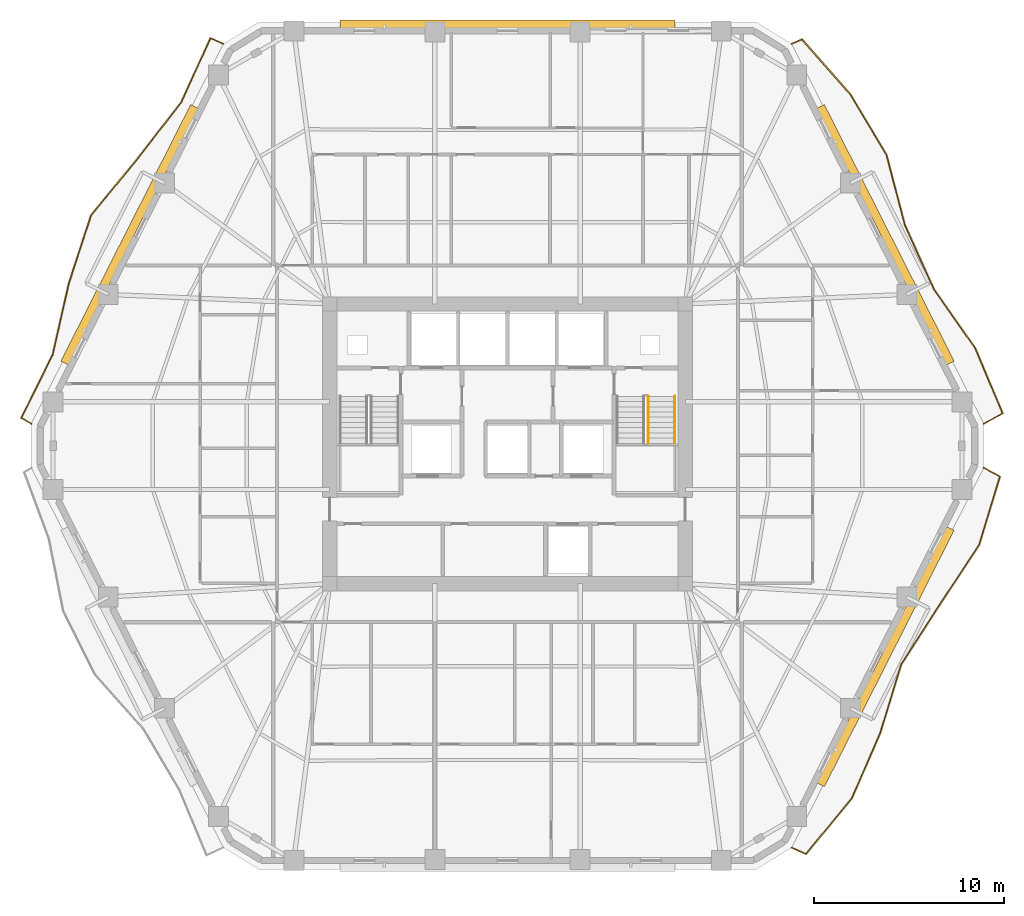
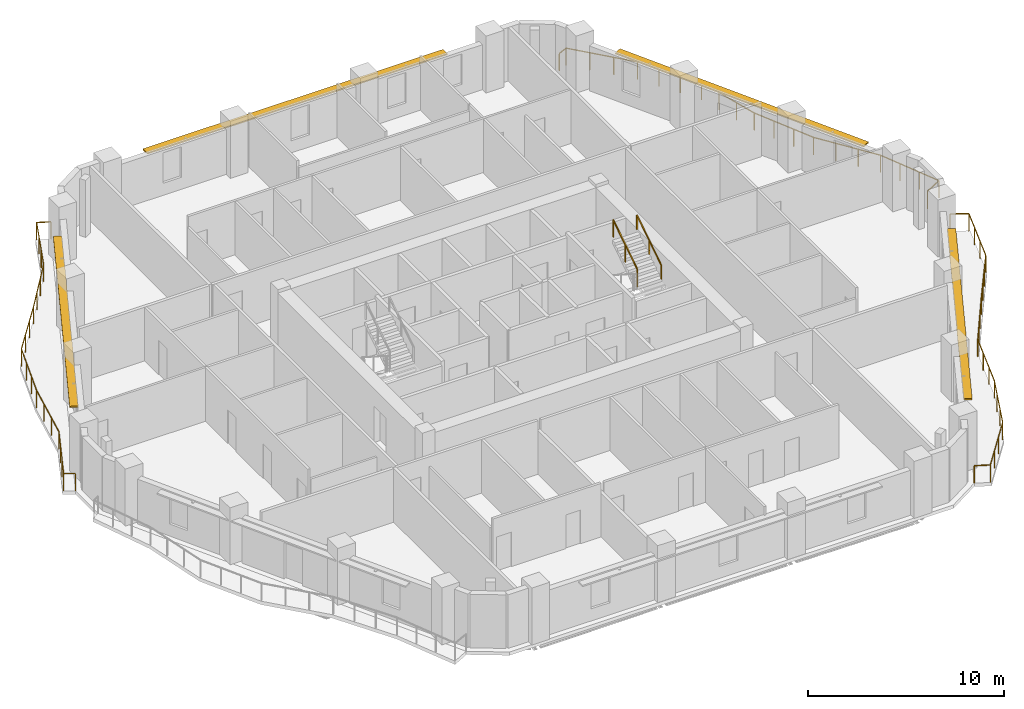
# One storey, part 12 of 12: 5 railings, 4 shading devices.
"""IFC4 building model written with IfcOpenShell, lengths in metres."""

from ifc_helpers import new_model, si_unit, direction, frame, origin, origin_2d, place, context, subcontext, project, spatial, rectangle, extrude, material, layer, layer_set, type_object, element, save


model = new_model("IFC4")

# Units and contexts
model_context = context("Model", 3, precision=1e-05, world=origin(), true_north=direction((0.0, 1.0)))
body_context = subcontext(model_context, "Body", "Model", "MODEL_VIEW")
ifc_project = project(units=[si_unit("LENGTHUNIT", "METRE"), si_unit("AREAUNIT", "SQUARE_METRE"), si_unit("VOLUMEUNIT", "CUBIC_METRE"), si_unit("PLANEANGLEUNIT", "RADIAN"), si_unit("MASSUNIT", "GRAM", prefix="KILO")], contexts=[model_context])

# Site, building, storey
site_placement = place(None, origin())
site = spatial("IfcSite", under=ifc_project, at=site_placement, CompositionType="ELEMENT")
building_placement = place(site_placement, origin())
building = spatial("IfcBuilding", under=site, at=building_placement, Name="Cinnabar Lancet Tower", CompositionType="ELEMENT")
storey_placement = place(building_placement, frame((0.0, 0.0, 126.800048828125)))
storey = spatial("IfcBuildingStorey", under=building, at=storey_placement, Name="L33", CompositionType="ELEMENT", Elevation=126.800048828125)

# Railings
ifc_material_1 = material(Name="Laminated safety glass and bronze stainless steel balustrade", Category="steel")
railing_type_1 = type_object("IfcRailingType", Name="ENV-RLG-BAL-1100", PredefinedType="BALUSTRADE", material=ifc_material_1)
railing_1_placement = place(storey_placement, frame((47.37890625, 4.610107421875, 0.0)))
element("IfcRailing", 1, at=railing_1_placement, inside=storey, type_object=railing_type_1, Name="L33 Face 2 Wave Balcony Balustrade", PredefinedType="BALUSTRADE", context=body_context, shape_type="SweptSolid", body=[
    extrude(rectangle(XDim=0.048095703125, YDim=0.048095703125, at=origin_2d()), frame((0.0, 0.0, 1.076171875), z_axis=(0.909195732356, -0.416368971304, 0.0), x_axis=(0.416368971304, 0.909195732356, 0.0)), (0.0, 0.0, 1.0), 0.82373046875),
    extrude(rectangle(XDim=0.048095703125, YDim=0.048095703125, at=origin_2d()), frame((0.7490234375, -0.343017578125, 1.076171875), z_axis=(0.635734105415, 0.771908120965, 0.0), x_axis=(-0.771908120965, 0.635734105415, 0.0)), (0.0, 0.0, 1.0), 3.82421875),
    extrude(rectangle(XDim=0.048095703125, YDim=0.048095703125, at=origin_2d()), frame((3.18017578125, 2.60888671875, 1.076171875), z_axis=(0.398532690825, 0.917154127911, 0.0), x_axis=(-0.917154127911, 0.398532690825, 0.0)), (0.0, 0.0, 1.0), 3.73876953125),
    extrude(rectangle(XDim=0.048095703125, YDim=0.048095703125, at=origin_2d()), frame((4.670166015625, 6.037841796875, 1.076171875), z_axis=(0.292336474874, 0.956315526099, 0.0), x_axis=(-0.956315526099, 0.292336474874, 0.0)), (0.0, 0.0, 1.0), 3.78662109375),
    extrude(rectangle(XDim=0.048095703125, YDim=0.048095703125, at=origin_2d()), frame((5.777099609375, 9.658935546875, 1.076171875), z_axis=(0.541849544056, 0.840475503276, 0.0), x_axis=(-0.840475503276, 0.541849544056, 0.0)), (0.0, 0.0, 1.0), 3.75),
    extrude(rectangle(XDim=0.048095703125, YDim=0.048095703125, at=origin_2d()), frame((7.80908203125, 12.810791015625, 1.076171875), z_axis=(0.551020551018, 0.83449167303, 0.0), x_axis=(-0.83449167303, 0.551020551018, 0.0)), (0.0, 0.0, 1.0), 3.7568359375),
    extrude(rectangle(XDim=0.048095703125, YDim=0.048095703125, at=origin_2d()), frame((9.879150390625, 15.94580078125, 1.076171875), z_axis=(0.291484787653, 0.956575464125, 0.0), x_axis=(-0.956575464125, 0.291484787653, 0.0)), (0.0, 0.0, 1.0), 3.78759765625),
    extrude(rectangle(XDim=0.048095703125, YDim=0.048095703125, at=origin_2d()), frame((10.983154296875, 19.56884765625, 1.076171875), z_axis=(-0.878859485983, 0.477080710045, 0.0), x_axis=(-0.477080710045, -0.878859485983, 0.0)), (0.0, 0.0, 1.0), 0.966064453125),
    extrude(rectangle(XDim=0.0419921875, YDim=0.0419921875, at=origin_2d()), origin(), (0.0, 0.0, 1.0), 1.052001953125),
    extrude(rectangle(XDim=0.0419921875, YDim=0.0419921875, at=origin_2d()), frame((0.7490234375, -0.343017578125, 0.0)), (0.0, 0.0, 1.0), 1.052001953125),
    extrude(rectangle(XDim=0.0419921875, YDim=0.0419921875, at=origin_2d()), frame((1.559326171875, 0.640869140625, 0.0)), (0.0, 0.0, 1.0), 1.052001953125),
    extrude(rectangle(XDim=0.0419921875, YDim=0.0419921875, at=origin_2d()), frame((2.369873046875, 1.625, 0.0)), (0.0, 0.0, 1.0), 1.052001953125),
    extrude(rectangle(XDim=0.0419921875, YDim=0.0419921875, at=origin_2d()), frame((3.18017578125, 2.60888671875, 0.0)), (0.0, 0.0, 1.0), 1.052001953125),
    extrude(rectangle(XDim=0.0419921875, YDim=0.0419921875, at=origin_2d()), frame((3.6767578125, 3.751953125, 0.0)), (0.0, 0.0, 1.0), 1.052001953125),
    extrude(rectangle(XDim=0.0419921875, YDim=0.0419921875, at=origin_2d()), frame((4.173583984375, 4.894775390625, 0.0)), (0.0, 0.0, 1.0), 1.052001953125),
    extrude(rectangle(XDim=0.0419921875, YDim=0.0419921875, at=origin_2d()), frame((4.670166015625, 6.037841796875, 0.0)), (0.0, 0.0, 1.0), 1.052001953125),
    extrude(rectangle(XDim=0.0419921875, YDim=0.0419921875, at=origin_2d()), frame((5.0390625, 7.244873046875, 0.0)), (0.0, 0.0, 1.0), 1.052001953125),
    extrude(rectangle(XDim=0.0419921875, YDim=0.0419921875, at=origin_2d()), frame((5.408203125, 8.451904296875, 0.0)), (0.0, 0.0, 1.0), 1.052001953125),
    extrude(rectangle(XDim=0.0419921875, YDim=0.0419921875, at=origin_2d()), frame((5.777099609375, 9.658935546875, 0.0)), (0.0, 0.0, 1.0), 1.052001953125),
    extrude(rectangle(XDim=0.0419921875, YDim=0.0419921875, at=origin_2d()), frame((6.454345703125, 10.70947265625, 0.0)), (0.0, 0.0, 1.0), 1.052001953125),
    extrude(rectangle(XDim=0.0419921875, YDim=0.0419921875, at=origin_2d()), frame((7.1318359375, 11.76025390625, 0.0)), (0.0, 0.0, 1.0), 1.052001953125),
    extrude(rectangle(XDim=0.0419921875, YDim=0.0419921875, at=origin_2d()), frame((7.80908203125, 12.810791015625, 0.0)), (0.0, 0.0, 1.0), 1.052001953125),
    extrude(rectangle(XDim=0.0419921875, YDim=0.0419921875, at=origin_2d()), frame((8.4990234375, 13.855712890625, 0.0)), (0.0, 0.0, 1.0), 1.052001953125),
    extrude(rectangle(XDim=0.0419921875, YDim=0.0419921875, at=origin_2d()), frame((9.189208984375, 14.90087890625, 0.0)), (0.0, 0.0, 1.0), 1.052001953125),
    extrude(rectangle(XDim=0.0419921875, YDim=0.0419921875, at=origin_2d()), frame((9.879150390625, 15.94580078125, 0.0)), (0.0, 0.0, 1.0), 1.052001953125),
    extrude(rectangle(XDim=0.0419921875, YDim=0.0419921875, at=origin_2d()), frame((10.2470703125, 17.153564453125, 0.0)), (0.0, 0.0, 1.0), 1.052001953125),
    extrude(rectangle(XDim=0.0419921875, YDim=0.0419921875, at=origin_2d()), frame((10.615234375, 18.361083984375, 0.0)), (0.0, 0.0, 1.0), 1.052001953125),
    extrude(rectangle(XDim=0.0419921875, YDim=0.0419921875, at=origin_2d()), frame((10.983154296875, 19.56884765625, 0.0)), (0.0, 0.0, 1.0), 1.052001953125),
    extrude(rectangle(XDim=0.0419921875, YDim=0.0419921875, at=origin_2d()), frame((10.134033203125, 20.02978515625, 0.0)), (0.0, 0.0, 1.0), 1.052001953125),
])
railing_2_placement = place(storey_placement, frame((57.512939453125, 26.9599609375, 0.0)))
element("IfcRailing", 2, at=railing_2_placement, inside=storey, type_object=railing_type_1, Name="L33 Face 3 Wave Balcony Balustrade", PredefinedType="BALUSTRADE", context=body_context, shape_type="SweptSolid", body=[
    extrude(rectangle(XDim=0.048095703125, YDim=0.048095703125, at=origin_2d()), frame((0.0, 0.0, 1.076171875), z_axis=(0.881338355054, 0.472485665296, 0.0), x_axis=(-0.472485665296, 0.881338355054, 0.0)), (0.0, 0.0, 1.0), 1.1279296875),
    extrude(rectangle(XDim=0.048095703125, YDim=0.048095703125, at=origin_2d()), frame((0.994140625, 0.532958984375, 1.076171875), z_axis=(-0.387707050437, 0.921782644142, 0.0), x_axis=(-0.921782644142, -0.387707050437, 0.0)), (0.0, 0.0, 1.0), 3.742919921875),
    extrude(rectangle(XDim=0.048095703125, YDim=0.048095703125, at=origin_2d()), frame((-0.45703125, 3.983154296875, 1.076171875), z_axis=(-0.574626729387, 0.818415616832, 0.0), x_axis=(-0.818415616832, -0.574626729387, 0.0)), (0.0, 0.0, 1.0), 3.76953125),
    extrude(rectangle(XDim=0.048095703125, YDim=0.048095703125, at=origin_2d()), frame((-2.623046875, 7.068115234375, 1.076171875), z_axis=(-0.412142022106, 0.911119615426, 0.0), x_axis=(-0.911119615426, -0.412142022106, 0.0)), (0.0, 0.0, 1.0), 3.733642578125),
    extrude(rectangle(XDim=0.048095703125, YDim=0.048095703125, at=origin_2d()), frame((-4.161865234375, 10.469970703125, 1.076171875), z_axis=(-0.253674416944, 0.967289661988, 0.0), x_axis=(-0.967289661988, -0.253674416944, 0.0)), (0.0, 0.0, 1.0), 3.81591796875),
    extrude(rectangle(XDim=0.048095703125, YDim=0.048095703125, at=origin_2d()), frame((-5.1298828125, 14.1611328125, 1.076171875), z_axis=(-0.51288273162, 0.858458679032, 0.0), x_axis=(-0.858458679032, -0.51288273162, 0.0)), (0.0, 0.0, 1.0), 3.741455078125),
    extrude(rectangle(XDim=0.048095703125, YDim=0.048095703125, at=origin_2d()), frame((-7.048828125, 17.373046875, 1.076171875), z_axis=(-0.660395094832, 0.750918316944, 0.0), x_axis=(-0.750918316944, -0.660395094832, 0.0)), (0.0, 0.0, 1.0), 3.85400390625),
    extrude(rectangle(XDim=0.048095703125, YDim=0.048095703125, at=origin_2d()), frame((-9.593994140625, 20.26708984375, 1.076171875), z_axis=(-0.915662610616, -0.4019477373, 0.0), x_axis=(0.4019477373, -0.915662610616, 0.0)), (0.0, 0.0, 1.0), 0.58984375),
    extrude(rectangle(XDim=0.0419921875, YDim=0.0419921875, at=origin_2d()), origin(), (0.0, 0.0, 1.0), 1.052001953125),
    extrude(rectangle(XDim=0.0419921875, YDim=0.0419921875, at=origin_2d()), frame((0.994140625, 0.532958984375, 0.0)), (0.0, 0.0, 1.0), 1.052001953125),
    extrude(rectangle(XDim=0.0419921875, YDim=0.0419921875, at=origin_2d()), frame((0.510498046875, 1.68310546875, 0.0)), (0.0, 0.0, 1.0), 1.052001953125),
    extrude(rectangle(XDim=0.0419921875, YDim=0.0419921875, at=origin_2d()), frame((0.026611328125, 2.8330078125, 0.0)), (0.0, 0.0, 1.0), 1.052001953125),
    extrude(rectangle(XDim=0.0419921875, YDim=0.0419921875, at=origin_2d()), frame((-0.45703125, 3.983154296875, 0.0)), (0.0, 0.0, 1.0), 1.052001953125),
    extrude(rectangle(XDim=0.0419921875, YDim=0.0419921875, at=origin_2d()), frame((-1.178955078125, 5.011474609375, 0.0)), (0.0, 0.0, 1.0), 1.052001953125),
    extrude(rectangle(XDim=0.0419921875, YDim=0.0419921875, at=origin_2d()), frame((-1.901123046875, 6.039794921875, 0.0)), (0.0, 0.0, 1.0), 1.052001953125),
    extrude(rectangle(XDim=0.0419921875, YDim=0.0419921875, at=origin_2d()), frame((-2.623046875, 7.068115234375, 0.0)), (0.0, 0.0, 1.0), 1.052001953125),
    extrude(rectangle(XDim=0.0419921875, YDim=0.0419921875, at=origin_2d()), frame((-3.135986328125, 8.2021484375, 0.0)), (0.0, 0.0, 1.0), 1.052001953125),
    extrude(rectangle(XDim=0.0419921875, YDim=0.0419921875, at=origin_2d()), frame((-3.64892578125, 9.3359375, 0.0)), (0.0, 0.0, 1.0), 1.052001953125),
    extrude(rectangle(XDim=0.0419921875, YDim=0.0419921875, at=origin_2d()), frame((-4.161865234375, 10.469970703125, 0.0)), (0.0, 0.0, 1.0), 1.052001953125),
    extrude(rectangle(XDim=0.0419921875, YDim=0.0419921875, at=origin_2d()), frame((-4.484619140625, 11.700439453125, 0.0)), (0.0, 0.0, 1.0), 1.052001953125),
    extrude(rectangle(XDim=0.0419921875, YDim=0.0419921875, at=origin_2d()), frame((-4.80712890625, 12.9306640625, 0.0)), (0.0, 0.0, 1.0), 1.052001953125),
    extrude(rectangle(XDim=0.0419921875, YDim=0.0419921875, at=origin_2d()), frame((-5.1298828125, 14.1611328125, 0.0)), (0.0, 0.0, 1.0), 1.052001953125),
    extrude(rectangle(XDim=0.0419921875, YDim=0.0419921875, at=origin_2d()), frame((-5.76953125, 15.231689453125, 0.0)), (0.0, 0.0, 1.0), 1.052001953125),
    extrude(rectangle(XDim=0.0419921875, YDim=0.0419921875, at=origin_2d()), frame((-6.4091796875, 16.302490234375, 0.0)), (0.0, 0.0, 1.0), 1.052001953125),
    extrude(rectangle(XDim=0.0419921875, YDim=0.0419921875, at=origin_2d()), frame((-7.048828125, 17.373046875, 0.0)), (0.0, 0.0, 1.0), 1.052001953125),
    extrude(rectangle(XDim=0.0419921875, YDim=0.0419921875, at=origin_2d()), frame((-7.897216796875, 18.337646484375, 0.0)), (0.0, 0.0, 1.0), 1.052001953125),
    extrude(rectangle(XDim=0.0419921875, YDim=0.0419921875, at=origin_2d()), frame((-8.74560546875, 19.302490234375, 0.0)), (0.0, 0.0, 1.0), 1.052001953125),
    extrude(rectangle(XDim=0.0419921875, YDim=0.0419921875, at=origin_2d()), frame((-9.593994140625, 20.26708984375, 0.0)), (0.0, 0.0, 1.0), 1.052001953125),
    extrude(rectangle(XDim=0.0419921875, YDim=0.0419921875, at=origin_2d()), frame((-10.134033203125, 20.030029296875, 0.0)), (0.0, 0.0, 1.0), 1.052001953125),
])
railing_3_placement = place(storey_placement, frame((17.4208984375, 46.989990234375, 0.0)))
element("IfcRailing", 3, at=railing_3_placement, inside=storey, type_object=railing_type_1, Name="L33 Face 5 Wave Balcony Balustrade", PredefinedType="BALUSTRADE", context=body_context, shape_type="SweptSolid", body=[
    extrude(rectangle(XDim=0.048095703125, YDim=0.048095703125, at=origin_2d()), frame((0.0, 0.0, 1.076171875), z_axis=(-0.911116710609, 0.412148443706, 0.0), x_axis=(-0.412148443706, -0.911116710609, 0.0)), (0.0, 0.0, 1.0), 0.7451171875),
    extrude(rectangle(XDim=0.048095703125, YDim=0.048095703125, at=origin_2d()), frame((-0.678955078125, 0.30712890625, 1.076171875), z_axis=(-0.414905529479, -0.909864496289, 0.0), x_axis=(0.909864496289, -0.414905529479, 0.0)), (0.0, 0.0, 1.0), 3.73583984375),
    extrude(rectangle(XDim=0.048095703125, YDim=0.048095703125, at=origin_2d()), frame((-2.22900390625, -3.092041015625, 1.076171875), z_axis=(-0.612386995993, -0.79055813647, 0.0), x_axis=(0.79055813647, -0.612386995993, 0.0)), (0.0, 0.0, 1.0), 3.7998046875),
    extrude(rectangle(XDim=0.048095703125, YDim=0.048095703125, at=origin_2d()), frame((-4.555908203125, -6.095947265625, 1.076171875), z_axis=(-0.634499643745, -0.772923154064, 0.0), x_axis=(0.772923154064, -0.634499643745, 0.0)), (0.0, 0.0, 1.0), 3.822021484375),
    extrude(rectangle(XDim=0.048095703125, YDim=0.048095703125, at=origin_2d()), frame((-6.98095703125, -9.050048828125, 1.076171875), z_axis=(-0.31024430554, -0.950656862848, 0.0), x_axis=(0.950656862848, -0.31024430554, 0.0)), (0.0, 0.0, 1.0), 3.774169921875),
    extrude(rectangle(XDim=0.048095703125, YDim=0.048095703125, at=origin_2d()), frame((-8.15185546875, -12.637939453125, 1.076171875), z_axis=(-0.221028440291, -0.975267362615, 0.0), x_axis=(0.975267362615, -0.221028440291, 0.0)), (0.0, 0.0, 1.0), 3.84619140625),
    extrude(rectangle(XDim=0.048095703125, YDim=0.048095703125, at=origin_2d()), frame((-9.001953125, -16.388916015625, 1.076171875), z_axis=(-0.443127587337, -0.896458555283, 0.0), x_axis=(0.896458555283, -0.443127587337, 0.0)), (0.0, 0.0, 1.0), 3.732666015625),
    extrude(rectangle(XDim=0.048095703125, YDim=0.048095703125, at=origin_2d()), frame((-10.656005859375, -19.735107421875, 1.076171875), z_axis=(0.870737162202, -0.491748710584, 0.0), x_axis=(0.491748710584, 0.870737162202, 0.0)), (0.0, 0.0, 1.0), 0.599853515625),
    extrude(rectangle(XDim=0.0419921875, YDim=0.0419921875, at=origin_2d()), origin(), (0.0, 0.0, 1.0), 1.052001953125),
    extrude(rectangle(XDim=0.0419921875, YDim=0.0419921875, at=origin_2d()), frame((-0.678955078125, 0.30712890625, 0.0)), (0.0, 0.0, 1.0), 1.052001953125),
    extrude(rectangle(XDim=0.0419921875, YDim=0.0419921875, at=origin_2d()), frame((-1.195556640625, -0.825927734375, 0.0)), (0.0, 0.0, 1.0), 1.052001953125),
    extrude(rectangle(XDim=0.0419921875, YDim=0.0419921875, at=origin_2d()), frame((-1.71240234375, -1.958984375, 0.0)), (0.0, 0.0, 1.0), 1.052001953125),
    extrude(rectangle(XDim=0.0419921875, YDim=0.0419921875, at=origin_2d()), frame((-2.22900390625, -3.092041015625, 0.0)), (0.0, 0.0, 1.0), 1.052001953125),
    extrude(rectangle(XDim=0.0419921875, YDim=0.0419921875, at=origin_2d()), frame((-3.004638671875, -4.09326171875, 0.0)), (0.0, 0.0, 1.0), 1.052001953125),
    extrude(rectangle(XDim=0.0419921875, YDim=0.0419921875, at=origin_2d()), frame((-3.7802734375, -5.0947265625, 0.0)), (0.0, 0.0, 1.0), 1.052001953125),
    extrude(rectangle(XDim=0.0419921875, YDim=0.0419921875, at=origin_2d()), frame((-4.555908203125, -6.095947265625, 0.0)), (0.0, 0.0, 1.0), 1.052001953125),
    extrude(rectangle(XDim=0.0419921875, YDim=0.0419921875, at=origin_2d()), frame((-5.3642578125, -7.08056640625, 0.0)), (0.0, 0.0, 1.0), 1.052001953125),
    extrude(rectangle(XDim=0.0419921875, YDim=0.0419921875, at=origin_2d()), frame((-6.172607421875, -8.0654296875, 0.0)), (0.0, 0.0, 1.0), 1.052001953125),
    extrude(rectangle(XDim=0.0419921875, YDim=0.0419921875, at=origin_2d()), frame((-6.98095703125, -9.050048828125, 0.0)), (0.0, 0.0, 1.0), 1.052001953125),
    extrude(rectangle(XDim=0.0419921875, YDim=0.0419921875, at=origin_2d()), frame((-7.371337890625, -10.24609375, 0.0)), (0.0, 0.0, 1.0), 1.052001953125),
    extrude(rectangle(XDim=0.0419921875, YDim=0.0419921875, at=origin_2d()), frame((-7.761474609375, -11.44189453125, 0.0)), (0.0, 0.0, 1.0), 1.052001953125),
    extrude(rectangle(XDim=0.0419921875, YDim=0.0419921875, at=origin_2d()), frame((-8.15185546875, -12.637939453125, 0.0)), (0.0, 0.0, 1.0), 1.052001953125),
    extrude(rectangle(XDim=0.0419921875, YDim=0.0419921875, at=origin_2d()), frame((-8.435302734375, -13.88818359375, 0.0)), (0.0, 0.0, 1.0), 1.052001953125),
    extrude(rectangle(XDim=0.0419921875, YDim=0.0419921875, at=origin_2d()), frame((-8.718505859375, -15.138671875, 0.0)), (0.0, 0.0, 1.0), 1.052001953125),
    extrude(rectangle(XDim=0.0419921875, YDim=0.0419921875, at=origin_2d()), frame((-9.001953125, -16.388916015625, 0.0)), (0.0, 0.0, 1.0), 1.052001953125),
    extrude(rectangle(XDim=0.0419921875, YDim=0.0419921875, at=origin_2d()), frame((-9.55322265625, -17.50439453125, 0.0)), (0.0, 0.0, 1.0), 1.052001953125),
    extrude(rectangle(XDim=0.0419921875, YDim=0.0419921875, at=origin_2d()), frame((-10.104736328125, -18.61962890625, 0.0)), (0.0, 0.0, 1.0), 1.052001953125),
    extrude(rectangle(XDim=0.0419921875, YDim=0.0419921875, at=origin_2d()), frame((-10.656005859375, -19.735107421875, 0.0)), (0.0, 0.0, 1.0), 1.052001953125),
    extrude(rectangle(XDim=0.0419921875, YDim=0.0419921875, at=origin_2d()), frame((-10.1337890625, -20.030029296875, 0.0)), (0.0, 0.0, 1.0), 1.052001953125),
])

# Shading devices
ifc_material_2 = material(Name="Pale limestone architectural aluminium sunshade", Category="masonry")
ifc_layer = layer(ifc_material_2, 0.080078125)
ifc_layer_set = layer_set([ifc_layer], Name="Pale limestone architectural aluminium sunshade")
shading_device_type = type_object("IfcShadingDeviceType", Name="ENV-SHD-LVR-450", PredefinedType="JALOUSIE", material=ifc_layer_set)
for number, where, z_axis, x_axis, name in (
    (4, (52.327880859375, 14.680908203125, 2.639892578125), (0.0, 0.0, 1.0), (0.451453853408, 0.892294468347, 0.0), "L33 Face 2 Horizontal Sunshade Canopy"),
    (5, (52.327880859375, 36.9189453125, 2.639892578125), (0.0, 0.0, 1.0), (-0.451453853408, 0.892294468347, 0.0), "L33 Face 3 Horizontal Sunshade Canopy"),
):
    element("IfcShadingDevice", number, at=place(storey_placement, frame(where, z_axis=z_axis, x_axis=x_axis)), inside=storey, type_object=shading_device_type, Name=name, PredefinedType="JALOUSIE", context=body_context, shape_type="SweptSolid", body=[
        extrude(rectangle(XDim=15.156982421875, YDim=0.449951171875, at=origin_2d()), origin(), (0.0, 0.0, 1.0), 0.080078125),
    ])
shading_device_1_placement = place(storey_placement, frame((32.39990234375, 48.02001953125, 2.639892578125), z_axis=(0.0, 0.0, 1.0), x_axis=(-1.0, 0.0, 0.0)))
element("IfcShadingDevice", 6, at=shading_device_1_placement, inside=storey, type_object=shading_device_type, Name="L33 Face 4 Horizontal Sunshade Canopy", PredefinedType="JALOUSIE", context=body_context, shape_type="SweptSolid", body=[
    extrude(rectangle(XDim=17.68310546875, YDim=0.449951171875, at=origin_2d()), origin(), (0.0, 0.0, 1.0), 0.080078125),
])
shading_device_2_placement = place(storey_placement, frame((12.471923828125, 36.9189453125, 2.639892578125), z_axis=(0.0, 0.0, 1.0), x_axis=(-0.451453853408, -0.892294468347, 0.0)))
element("IfcShadingDevice", 7, at=shading_device_2_placement, inside=storey, type_object=shading_device_type, Name="L33 Face 5 Horizontal Sunshade Canopy", PredefinedType="JALOUSIE", context=body_context, shape_type="SweptSolid", body=[
    extrude(rectangle(XDim=15.156982421875, YDim=0.449951171875, at=origin_2d()), origin(), (0.0, 0.0, 1.0), 0.080078125),
])

# Railings
ifc_material_3 = material(Name="Painted galvanized steel balustrade", Category="steel")
railing_type_2 = type_object("IfcRailingType", Name="GUARD-STAIR", PredefinedType="GUARDRAIL", material=ifc_material_3)
railing_4_placement = place(storey_placement, frame((39.824951171875, 25.925048828125, 1.952392578125)))
element("IfcRailing", 8, at=railing_4_placement, inside=storey, type_object=railing_type_2, Name="L33 ST-2 stair guard 3", PredefinedType="GUARDRAIL", context=body_context, shape_type="SweptSolid", body=[
    extrude(rectangle(XDim=0.048095703125, YDim=0.048095703125, at=origin_2d()), frame((0.0, 0.0, 1.076171875), z_axis=(0.0, 0.84014559416, 0.542360932049), x_axis=(-1.0, 0.0, 0.0)), (0.0, 0.0, 1.0), 2.94580078125),
    extrude(rectangle(XDim=0.0419921875, YDim=0.0419921875, at=origin_2d()), origin(), (0.0, 0.0, 1.0), 1.052001953125),
    extrude(rectangle(XDim=0.0419921875, YDim=0.0419921875, at=origin_2d()), frame((0.0, 1.2373046875, 0.798828125)), (0.0, 0.0, 1.0), 1.052001953125),
    extrude(rectangle(XDim=0.0419921875, YDim=0.0419921875, at=origin_2d()), frame((0.0, 2.474853515625, 1.59765625)), (0.0, 0.0, 1.0), 1.052001953125),
])
ifc_material_4 = material(Name="Brushed stainless steel handrail", Category="steel")
railing_type_3 = type_object("IfcRailingType", Name="HANDRAIL-STAIR", PredefinedType="HANDRAIL", material=ifc_material_4)
railing_5_placement = place(storey_placement, frame((41.22509765625, 25.925048828125, 1.952392578125)))
element("IfcRailing", 9, at=railing_5_placement, inside=storey, type_object=railing_type_3, Name="L33 ST-2 stair handrail 2", PredefinedType="HANDRAIL", context=body_context, shape_type="SweptSolid", body=[
    extrude(rectangle(XDim=0.048095703125, YDim=0.048095703125, at=origin_2d()), frame((0.0, 0.0, 0.8759765625), z_axis=(0.0, 0.84014559416, 0.542360932049), x_axis=(-1.0, 0.0, 0.0)), (0.0, 0.0, 1.0), 2.94580078125),
    extrude(rectangle(XDim=0.0419921875, YDim=0.0419921875, at=origin_2d()), origin(), (0.0, 0.0, 1.0), 0.851806640625),
    extrude(rectangle(XDim=0.0419921875, YDim=0.0419921875, at=origin_2d()), frame((0.0, 1.2373046875, 0.798828125)), (0.0, 0.0, 1.0), 0.851806640625),
    extrude(rectangle(XDim=0.0419921875, YDim=0.0419921875, at=origin_2d()), frame((0.0, 2.474853515625, 1.59765625)), (0.0, 0.0, 1.0), 0.851806640625),
])

save(model, "model.ifc")
